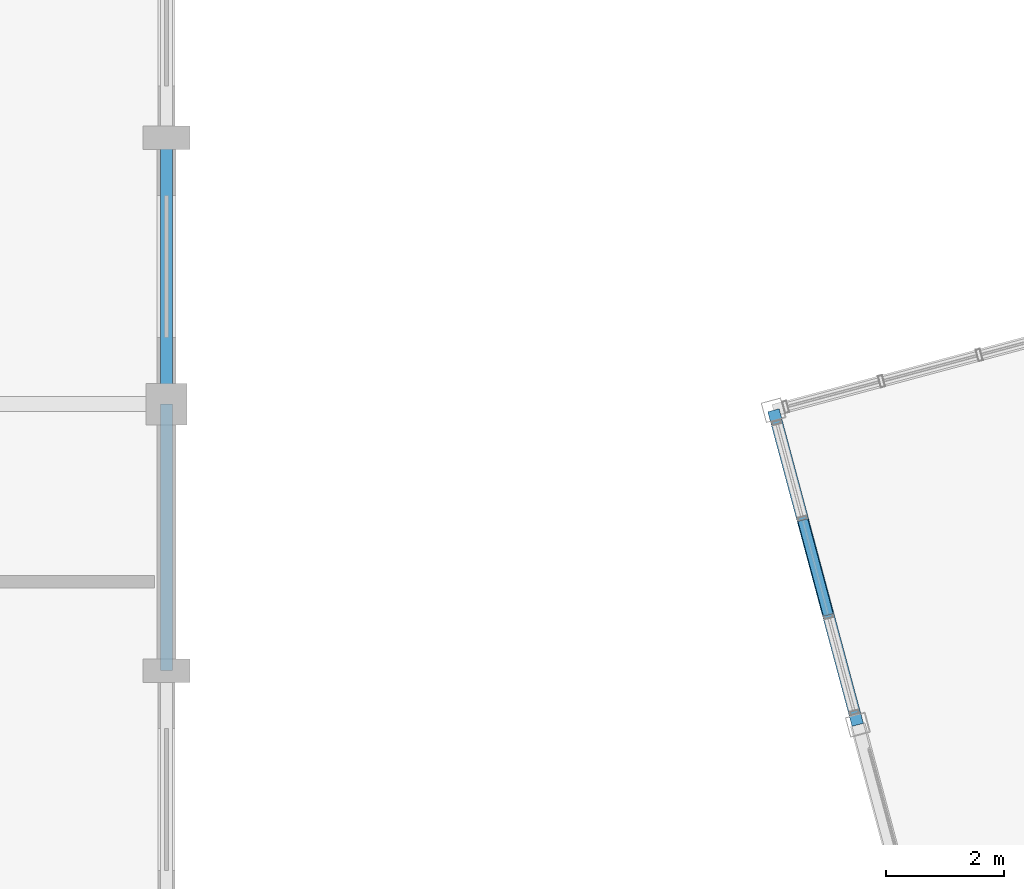
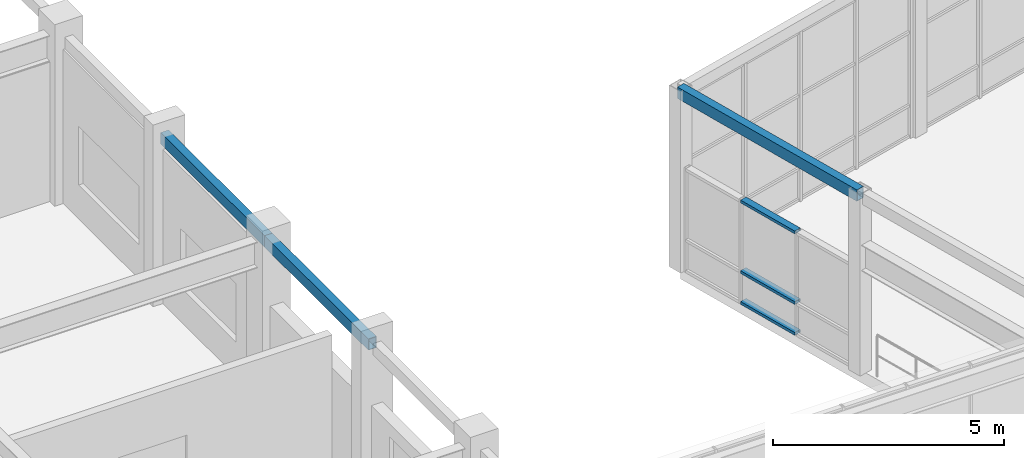
# One storey, part 34 of 99: 3 beams, 3 members, 1 element without a shape of its own.
"""IFC4 building model written with IfcOpenShell, lengths in metres."""

from ifc_helpers import new_model, si_unit, direction, frame, origin, origin_2d, place, context, subcontext, project, spatial, hollow_rectangle, extrude, material, layer, layer_set, material_profile, profile_set, type_object, element, aggregate, save


model = new_model("IFC4")

# Units and contexts
model_context = context("Model", 3, precision=1e-05, world=origin(), true_north=direction((0.0, 1.0)))
body_context = subcontext(model_context, "Body", "Model", "MODEL_VIEW")
ifc_project = project(units=[si_unit("LENGTHUNIT", "METRE"), si_unit("AREAUNIT", "SQUARE_METRE"), si_unit("VOLUMEUNIT", "CUBIC_METRE"), si_unit("PLANEANGLEUNIT", "RADIAN"), si_unit("MASSUNIT", "GRAM", prefix="KILO")], contexts=[model_context])

# Site, building, storey
site_placement = place(None, origin())
site = spatial("IfcSite", under=ifc_project, at=site_placement, CompositionType="ELEMENT")
building_placement = place(site_placement, origin())
building = spatial("IfcBuilding", under=site, at=building_placement, Name="Ventoquebrada Cableway Terminal", CompositionType="ELEMENT")
storey_placement = place(building_placement, frame((0.0, 0.0, 9.60009765625)))
storey = spatial("IfcBuildingStorey", under=building, at=storey_placement, Name="L02", CompositionType="ELEMENT", Elevation=9.60009765625)

# Curtain wall, members
ifc_material_1 = material(Name="Anodized thermally-broken aluminium", Category="aluminium")
ifc_layer = layer(ifc_material_1, 0.159912109375)
ifc_layer_set = layer_set([ifc_layer], Name="Anodized thermally-broken aluminium")
curtain_wall_type = type_object("IfcCurtainWallType", Name="CW-T41", PredefinedType="USERDEFINED", material=ifc_layer_set)
curtain_wall_placement = place(storey_placement, origin())
curtain_wall = element("IfcCurtainWall", 1, at=curtain_wall_placement, inside=storey, type_object=curtain_wall_type, Name="Unitised glazed curtain wall CW-112", ObjectType="UNITISED CURTAIN WALL", PredefinedType="USERDEFINED")
ifc_material_profile_1 = material_profile(ifc_material_1, hollow_rectangle(XDim=0.074951171875, YDim=0.169921875, WallThickness=0.00439453125, at=origin_2d()), Name="CW-TRN-75X170")
ifc_profile_set_1 = profile_set([ifc_material_profile_1], Name="Anodized thermally-broken aluminium")
member_type = type_object("IfcMemberType", Name="CWT-03", PredefinedType="USERDEFINED", material=ifc_profile_set_1)
member_1_placement = place(storey_placement, frame((45.7451171875, 93.044921875, 0.034912109375), z_axis=(0.259151950985, -0.965836562934, 0.0), x_axis=(0.0, 0.0, 1.0)))
member_1 = element("IfcMember", 2, at=member_1_placement, type_object=member_type, Name="Curtain wall transom FTR-1608", ObjectType="TRANSOM", PredefinedType="USERDEFINED", context=body_context, shape_type="SweptSolid", body=[
    extrude(hollow_rectangle(XDim=0.074951171875, YDim=0.169921875, WallThickness=0.00439453125, at=origin_2d()), origin(), (0.0, 0.0, 1.0), 1.662841796875),
])
member_2_placement = place(storey_placement, frame((45.7451171875, 93.044921875, 0.849853515625), z_axis=(0.259151950985, -0.965836562934, 0.0), x_axis=(0.0, 0.0, 1.0)))
member_2 = element("IfcMember", 3, at=member_2_placement, type_object=member_type, Name="Curtain wall transom FTR-1609", ObjectType="TRANSOM", PredefinedType="USERDEFINED", context=body_context, shape_type="SweptSolid", body=[
    extrude(hollow_rectangle(XDim=0.074951171875, YDim=0.169921875, WallThickness=0.00439453125, at=origin_2d()), origin(), (0.0, 0.0, 1.0), 1.662841796875),
])
member_3_placement = place(storey_placement, frame((45.7451171875, 93.044921875, 2.716796875), z_axis=(0.259151950985, -0.965836562934, 0.0), x_axis=(0.0, 0.0, 1.0)))
member_3 = element("IfcMember", 4, at=member_3_placement, type_object=member_type, Name="Curtain wall transom FTR-1610", ObjectType="TRANSOM", PredefinedType="USERDEFINED", context=body_context, shape_type="SweptSolid", body=[
    extrude(hollow_rectangle(XDim=0.074951171875, YDim=0.169921875, WallThickness=0.00439453125, at=origin_2d()), origin(), (0.0, 0.0, 1.0), 1.662841796875),
])
aggregate(curtain_wall, [member_1, member_2, member_3])

# Beams
ifc_material_2 = material(Name="Steel ASTM A500 Grade C", Category="steel")
ifc_material_profile_2 = material_profile(ifc_material_2, hollow_rectangle(XDim=0.199951171875, YDim=0.300048828125, WallThickness=0.012451171875, at=origin_2d()), Name="RHS300X200X12.5")
ifc_profile_set_2 = profile_set([ifc_material_profile_2], Name="Steel ASTM A500 Grade C")
beam_type = type_object("IfcBeamType", Name="SP-ST02", PredefinedType="SPANDREL", material=ifc_profile_set_2)
for number, where, z_axis, x_axis, name in (
    (5, (35.0, 90.5, 4.22998046875), (0.0, 1.0, 0.0), (-1.0, 0.0, 0.0), "Perimeter spandrel beam FBM-0484"),
    (6, (35.0, 95.0, 4.22998046875), (0.0, 1.0, 0.0), (-1.0, 0.0, 0.0), "Perimeter spandrel beam FBM-0485"),
):
    element("IfcBeam", number, at=place(storey_placement, frame(where, z_axis=z_axis, x_axis=x_axis)), inside=storey, type_object=beam_type, Name=name, PredefinedType="SPANDREL", context=body_context, shape_type="SweptSolid", body=[
        extrude(hollow_rectangle(XDim=0.199951171875, YDim=0.300048828125, WallThickness=0.012451171875, at=origin_2d()), origin(), (0.0, 0.0, 1.0), 4.5),
    ])
beam_placement = place(storey_placement, frame((46.672119140625, 89.5859375, 4.64990234375), z_axis=(-0.25877602824, 0.965937351596, 0.0), x_axis=(-0.965937351596, -0.25877602824, 0.0)))
element("IfcBeam", 7, at=beam_placement, inside=storey, type_object=beam_type, Name="Boarding hall perimeter tie beam FBM-1084", PredefinedType="SPANDREL", context=body_context, shape_type="SweptSolid", body=[
    extrude(hollow_rectangle(XDim=0.199951171875, YDim=0.300048828125, WallThickness=0.012451171875, at=origin_2d()), origin(), (0.0, 0.0, 1.0), 5.499267578125),
])

save(model, "model.ifc")
